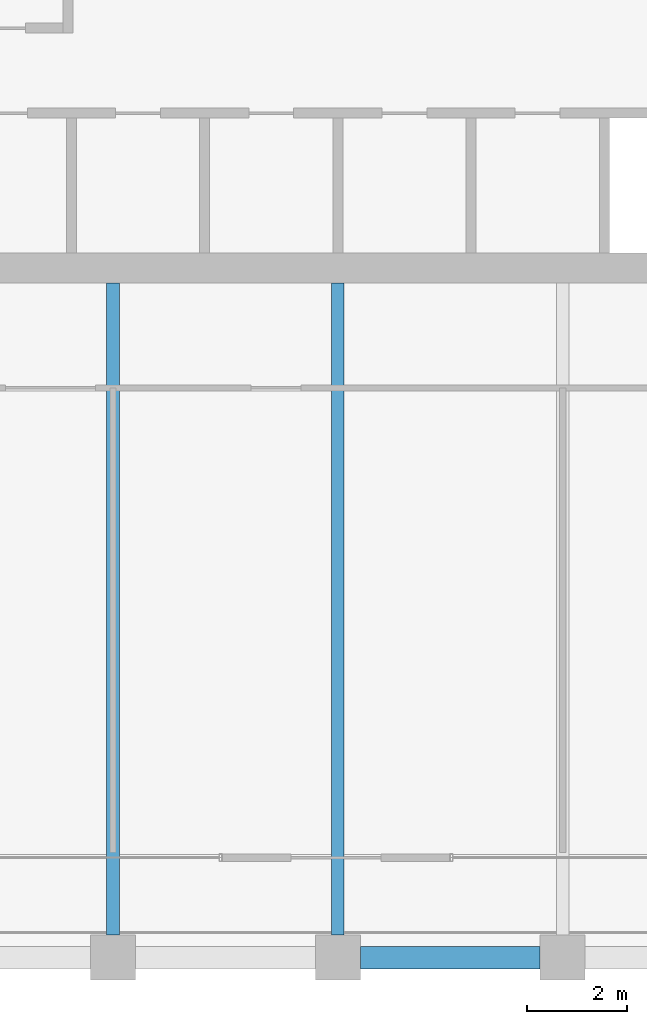
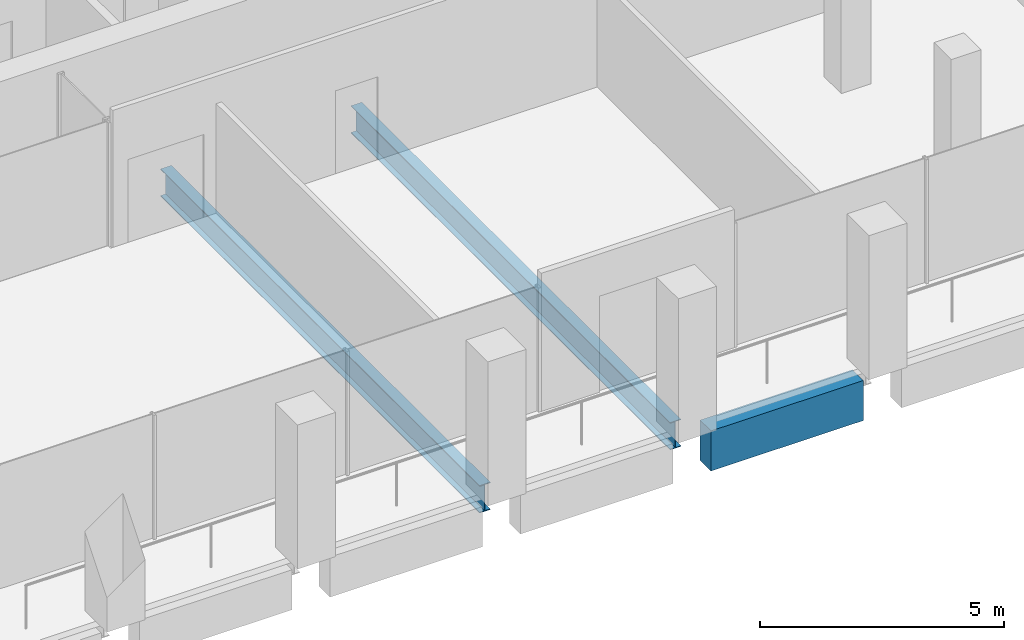
# One storey, part 8 of 40: 3 beams.
"""IFC4 building model written with IfcOpenShell, lengths in metres."""

from ifc_helpers import new_model, si_unit, direction, frame, origin, origin_2d, place, context, subcontext, project, spatial, rectangle, i_section, extrude, material, material_profile, profile_set, type_object, element, save


model = new_model("IFC4")

# Units and contexts
model_context = context("Model", 3, precision=1e-05, world=origin(), true_north=direction((0.0, 1.0)))
body_context = subcontext(model_context, "Body", "Model", "MODEL_VIEW")
ifc_project = project(units=[si_unit("LENGTHUNIT", "METRE"), si_unit("AREAUNIT", "SQUARE_METRE"), si_unit("VOLUMEUNIT", "CUBIC_METRE"), si_unit("PLANEANGLEUNIT", "RADIAN"), si_unit("MASSUNIT", "GRAM", prefix="KILO")], contexts=[model_context])

# Site, building, storey
site_placement = place(None, origin())
site = spatial("IfcSite", under=ifc_project, at=site_placement, CompositionType="ELEMENT")
building_placement = place(site_placement, origin())
building = spatial("IfcBuilding", under=site, at=building_placement, Name="Altepetl Exchange Towers", CompositionType="ELEMENT")
storey_placement = place(building_placement, frame((0.0, 0.0, 161.800048828125)))
storey = spatial("IfcBuildingStorey", under=building, at=storey_placement, Name="L40", CompositionType="ELEMENT", Elevation=161.800048828125)

# Beams
ifc_material_1 = material(Name="Steel S355", Category="steel")
ifc_material_profile_1 = material_profile(ifc_material_1, i_section(OverallWidth=0.25390625, OverallDepth=0.68408203125, WebThickness=0.012451171875, FlangeThickness=0.018798828125, at=origin_2d()), Name="W27X94")
ifc_profile_set_1 = profile_set([ifc_material_profile_1], Name="Steel S355")
beam_type_1 = type_object("IfcBeamType", Name="Floor beam W27X94", PredefinedType="BEAM", material=ifc_profile_set_1)
for number, where, z_axis, x_axis, name in (
    (1, (45.0, 27.449951171875, -0.491943359375), (0.0, 1.0, 0.0), (-1.0, 0.0, 0.0), "bm:A:L40:015"),
    (2, (49.5, 27.449951171875, -0.491943359375), (0.0, 1.0, 0.0), (-1.0, 0.0, 0.0), "bm:A:L40:016"),
):
    element("IfcBeam", number, at=place(storey_placement, frame(where, z_axis=z_axis, x_axis=x_axis)), inside=storey, type_object=beam_type_1, Name=name, PredefinedType="BEAM", context=body_context, shape_type="SweptSolid", body=[
        extrude(i_section(OverallWidth=0.25390625, OverallDepth=0.68408203125, WebThickness=0.012451171875, FlangeThickness=0.018798828125, at=origin_2d()), origin(), (0.0, 0.0, 1.0), 13.050048828125),
    ])
ifc_material_2 = material(Name="Concrete C50/60 precast with cantera blanca facing", Category="concrete")
ifc_material_profile_2 = material_profile(ifc_material_2, rectangle(XDim=0.449951171875, YDim=1.0, at=origin_2d()), Name="450 x 1000")
ifc_profile_set_2 = profile_set([ifc_material_profile_2], Name="Concrete C50/60 precast with cantera blanca facing")
beam_type_2 = type_object("IfcBeamType", Name="Spandrel beam 450x1000 cantera blanca", PredefinedType="SPANDREL", material=ifc_profile_set_2)
beam_placement = place(storey_placement, frame((49.949951171875, 27.0, -0.650146484375), z_axis=(1.0, 0.0, 0.0), x_axis=(0.0, 1.0, 0.0)))
element("IfcBeam", 3, at=beam_placement, inside=storey, type_object=beam_type_2, Name="sp:A:L40:004", PredefinedType="SPANDREL", context=body_context, shape_type="SweptSolid", body=[
    extrude(rectangle(XDim=0.449951171875, YDim=1.0, at=origin_2d()), origin(), (0.0, 0.0, 1.0), 3.60009765625),
])

save(model, "model.ifc")
